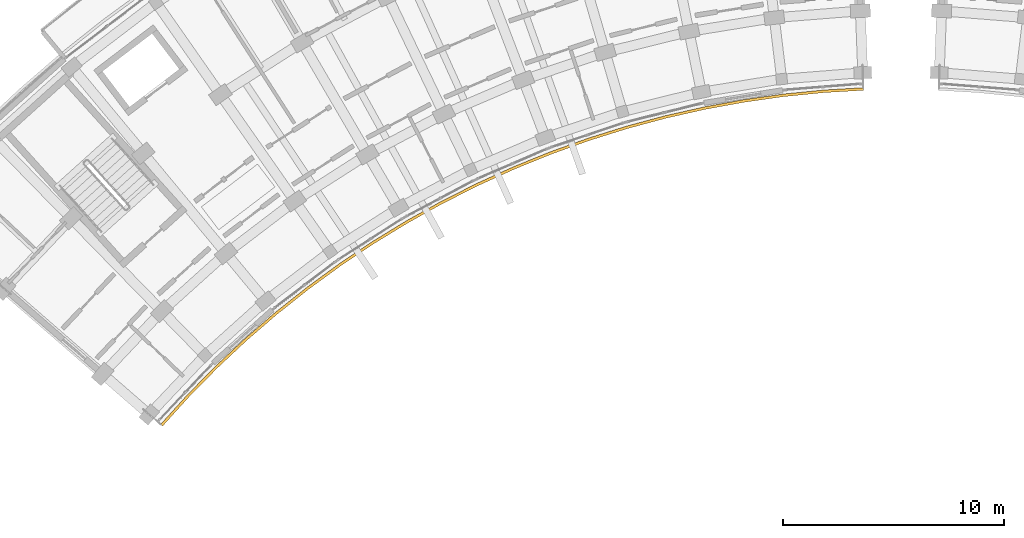
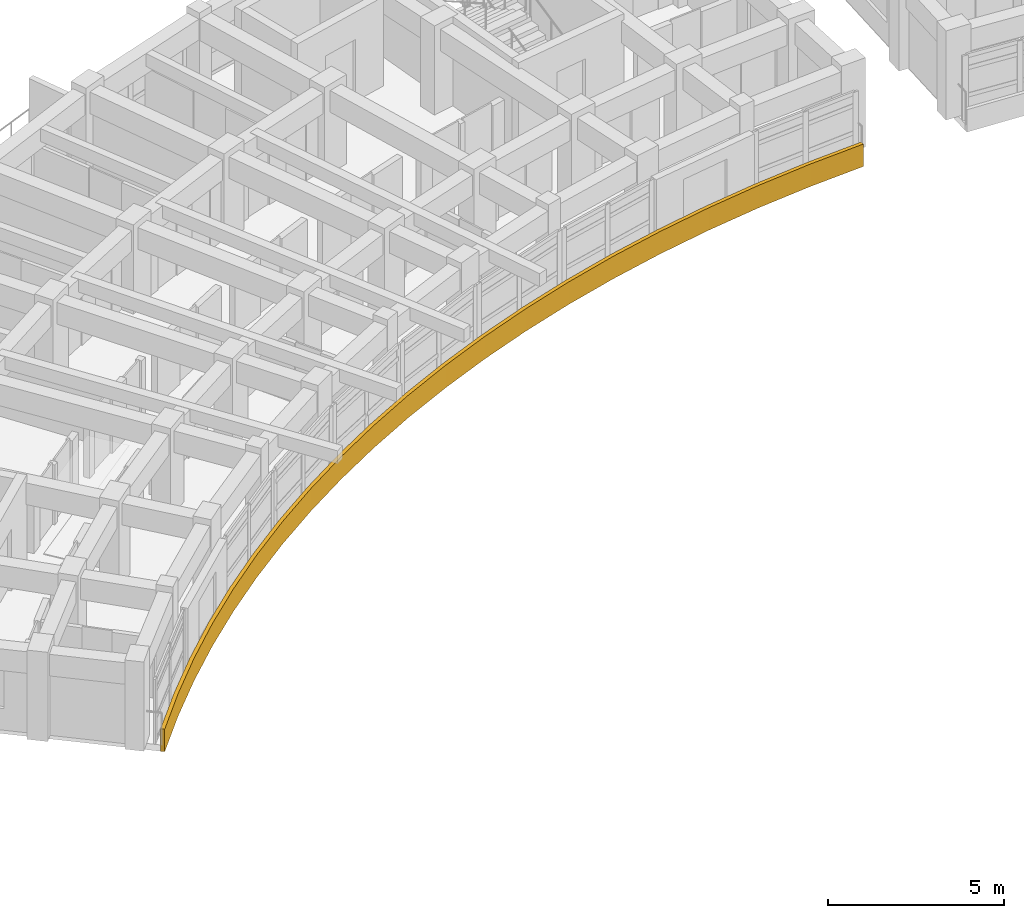
# One storey, part 60 of 70: 1 railing.
"""IFC4 building model written with IfcOpenShell, lengths in metres."""

from ifc_helpers import new_model, si_unit, direction, frame, origin, place, context, subcontext, project, spatial, polyline, outline, extrude, material, type_object, element, save


model = new_model("IFC4")

# Units and contexts
model_context = context("Model", 3, precision=1e-05, world=origin(), true_north=direction((0.0, 1.0)))
body_context = subcontext(model_context, "Body", "Model", "MODEL_VIEW")
ifc_project = project(units=[si_unit("LENGTHUNIT", "METRE"), si_unit("AREAUNIT", "SQUARE_METRE"), si_unit("VOLUMEUNIT", "CUBIC_METRE"), si_unit("PLANEANGLEUNIT", "RADIAN"), si_unit("MASSUNIT", "GRAM", prefix="KILO")], contexts=[model_context])

# Site, building, storey
site_placement = place(None, origin())
site = spatial("IfcSite", under=ifc_project, at=site_placement, CompositionType="ELEMENT")
building_placement = place(site_placement, origin())
building = spatial("IfcBuilding", under=site, at=building_placement, Name="Zimvara Arc Housing Community", CompositionType="ELEMENT")
storey_placement = place(building_placement, frame((0.0, 0.0, 8.10009765625)))
storey = spatial("IfcBuildingStorey", under=building, at=storey_placement, Name="L02", CompositionType="ELEMENT", Elevation=8.10009765625)

# Railing
ifc_material = material(Name="Pale-Gold Anodised Aluminium AW-6063", Category="aluminium")
railing_type = type_object("IfcRailingType", Name="RLG-FAS-780", PredefinedType="BALUSTRADE", material=ifc_material)
railing_placement = place(storey_placement, frame((0.0, 0.0, -0.22021484375)))
element("IfcRailing", 1, at=railing_placement, inside=storey, type_object=railing_type, Name="rlg:blkA:L02:gold_in", PredefinedType="BALUSTRADE", context=body_context, shape_type="SweptSolid", body=[
    extrude(outline(polyline([(11.55126953125, 73.576416015625), (12.766357421875, 74.91796875), (14.03515625, 76.208740234375), (15.355712890625, 77.446533203125), (16.7255859375, 78.62939453125), (18.142578125, 79.75537109375), (19.6044921875, 80.822509765625), (21.108642578125, 81.8291015625), (22.652587890625, 82.7734375), (24.234130859375, 83.654052734375), (25.849853515625, 84.46923828125), (27.497802734375, 85.2177734375), (29.1748046875, 85.8984375), (30.87841796875, 86.510009765625), (32.60546875, 87.051513671875), (34.35302734375, 87.522216796875), (36.11865234375, 87.9208984375), (37.898681640625, 88.247314453125), (39.69091796875, 88.5009765625), (41.491943359375, 88.680908203125), (43.298583984375, 88.787353515625), (43.2939453125, 88.9072265625), (41.482421875, 88.800537109375), (39.676513671875, 88.6201171875), (37.879638671875, 88.365966796875), (36.094482421875, 88.03857421875), (34.32421875, 87.638671875), (32.57177734375, 87.166748046875), (30.840087890625, 86.623779296875), (29.132080078125, 86.010498046875), (27.450439453125, 85.328125), (25.798095703125, 84.577392578125), (24.177734375, 83.760009765625), (22.59228515625, 82.877197265625), (21.0439453125, 81.93017578125), (19.53564453125, 80.9208984375), (18.06982421875, 79.850830078125), (16.64892578125, 78.721923828125), (15.275390625, 77.53564453125), (13.951416015625, 76.29443359375), (12.678955078125, 75.000244140625), (11.460693359375, 73.6552734375), (11.55126953125, 73.576416015625)])), origin(), (0.0, 0.0, 1.0), 0.780029296875),
])

save(model, "model.ifc")
